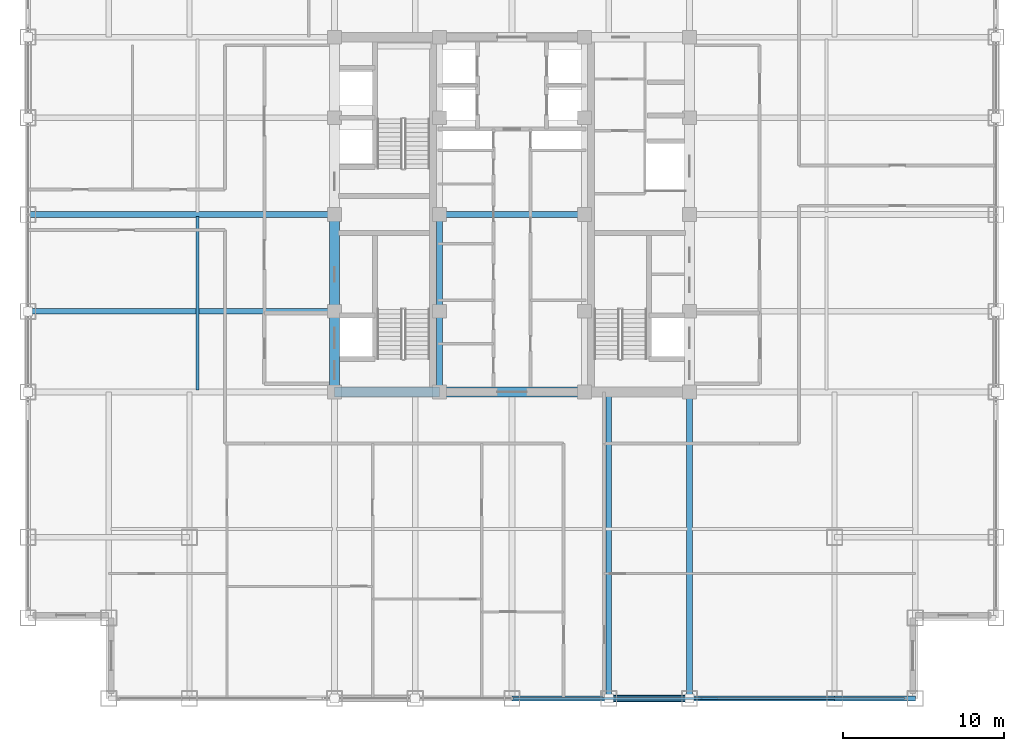
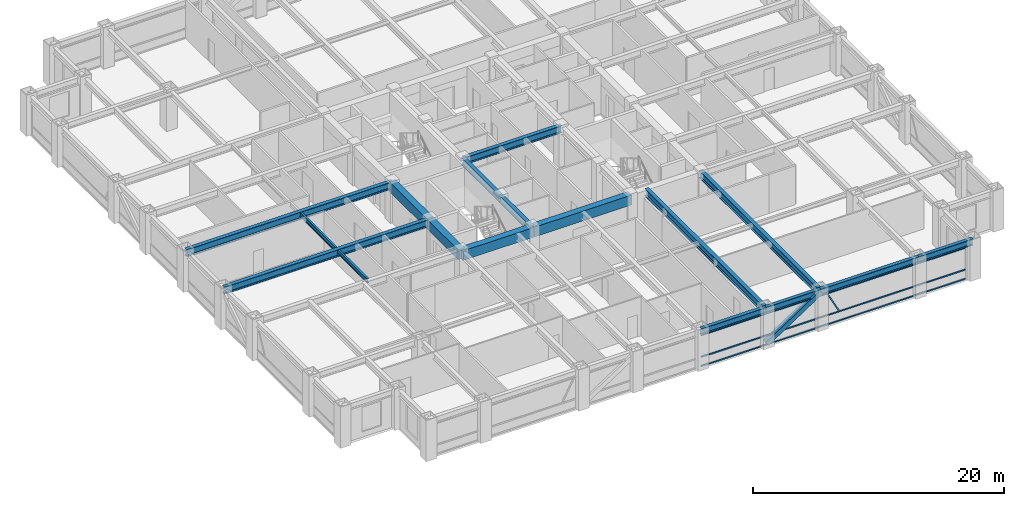
# One storey, part 7 of 24: 16 beams, 5 members, 1 element without a shape of its own.
"""IFC4 building model written with IfcOpenShell, lengths in metres."""

from ifc_helpers import new_model, si_unit, direction, frame, origin, origin_2d, place, context, subcontext, project, spatial, rectangle, hollow_rectangle, i_section, extrude, source, transform, mapped, material, material_profile, profile_set, type_object, element, aggregate, save


model = new_model("IFC4")

# Units and contexts
model_context = context("Model", 3, precision=1e-05, world=origin(), true_north=direction((0.0, 1.0)))
body_context = subcontext(model_context, "Body", "Model", "MODEL_VIEW")
ifc_project = project(units=[si_unit("LENGTHUNIT", "METRE"), si_unit("AREAUNIT", "SQUARE_METRE"), si_unit("VOLUMEUNIT", "CUBIC_METRE"), si_unit("PLANEANGLEUNIT", "RADIAN"), si_unit("MASSUNIT", "GRAM", prefix="KILO")], contexts=[model_context])

# Site, building, storey
site_placement = place(None, origin())
site = spatial("IfcSite", under=ifc_project, at=site_placement, CompositionType="ELEMENT")
building_placement = place(site_placement, origin())
building = spatial("IfcBuilding", under=site, at=building_placement, Name="Khorayat Bourse Tower", CompositionType="ELEMENT")
storey_placement = place(building_placement, frame((0.0, 0.0, 219.10009765625)))
storey = spatial("IfcBuildingStorey", under=building, at=storey_placement, Name="L51", CompositionType="ELEMENT", Elevation=219.10009765625)

# Beams
ifc_material_1 = material(Name="Steel ASTM A992 Grade 50", Category="steel")
ifc_material_profile_1 = material_profile(ifc_material_1, i_section(OverallWidth=0.35498046875, OverallDepth=0.695068359375, WebThickness=0.015380859375, FlangeThickness=0.02490234375, FilletRadius=0.01806640625, at=origin_2d()), Name="W690X217")
ifc_profile_set_1 = profile_set([ifc_material_profile_1], Name="Steel ASTM A992 Grade 50")
beam_type_1 = type_object("IfcBeamType", Name="BM-GIRD-690", PredefinedType="BEAM", material=ifc_profile_set_1)
shared_shape_1 = source(origin(), body_context, "Body", "SweptSolid", [
    extrude(i_section(OverallWidth=0.35498046875, OverallDepth=0.695068359375, WebThickness=0.015380859375, FlangeThickness=0.02490234375, FilletRadius=0.01806640625, at=origin_2d()), origin(), (0.0, 0.0, 1.0), 5.0),
])
beam_1_placement = place(storey_placement, frame((-4.5, -11.0, 3.432373046875), z_axis=(0.0, 1.0, 0.0), x_axis=(-1.0, 0.0, 0.0)))
element("IfcBeam", 1, at=beam_1_placement, inside=storey, type_object=beam_type_1, Name="L51 BM-GIRD-690 BM-L51-CRX-05", PredefinedType="BEAM", context=body_context, shape_type="MappedRepresentation", body=[
    mapped(shared_shape_1, transform((0.0, 0.0, 0.0), scale=1.0)),
])
shared_shape_2 = source(origin(), body_context, "Body", "SweptSolid", [
    extrude(i_section(OverallWidth=0.35498046875, OverallDepth=0.695068359375, WebThickness=0.015380859375, FlangeThickness=0.02490234375, FilletRadius=0.01806640625, at=origin_2d()), origin(), (0.0, 0.0, 1.0), 6.0),
])
beam_2_placement = place(storey_placement, frame((-4.5, -6.0, 3.432373046875), z_axis=(0.0, 1.0, 0.0), x_axis=(-1.0, 0.0, 0.0)))
element("IfcBeam", 2, at=beam_2_placement, inside=storey, type_object=beam_type_1, Name="L51 BM-GIRD-690 BM-L51-CRX-06", PredefinedType="BEAM", context=body_context, shape_type="MappedRepresentation", body=[
    mapped(shared_shape_2, transform((0.0, 0.0, 0.0), scale=1.0)),
])
shared_shape_3 = source(origin(), body_context, "Body", "SweptSolid", [
    extrude(i_section(OverallWidth=0.35498046875, OverallDepth=0.695068359375, WebThickness=0.015380859375, FlangeThickness=0.02490234375, FilletRadius=0.01806640625, at=origin_2d()), origin(), (0.0, 0.0, 1.0), 9.0),
])
beam_3_placement = place(storey_placement, frame((-4.5, 0.0, 3.432373046875), z_axis=(1.0, 0.0, 0.0), x_axis=(0.0, 1.0, 0.0)))
element("IfcBeam", 3, at=beam_3_placement, inside=storey, type_object=beam_type_1, Name="L51 BM-GIRD-690 BM-L51-CRY-23", PredefinedType="BEAM", context=body_context, shape_type="MappedRepresentation", body=[
    mapped(shared_shape_3, transform((0.0, 0.0, 0.0), scale=1.0)),
])
ifc_material_profile_2 = material_profile(ifc_material_1, i_section(OverallWidth=0.180908203125, OverallDepth=0.4169921875, WebThickness=0.010986328125, FlangeThickness=0.018310546875, FilletRadius=0.011962890625, at=origin_2d()), Name="W410X85")
ifc_profile_set_2 = profile_set([ifc_material_profile_2], Name="Steel ASTM A992 Grade 50")
beam_type_2 = type_object("IfcBeamType", Name="BM-JOIST-410", PredefinedType="JOIST", material=ifc_profile_set_2)
shared_shape_4 = source(origin(), body_context, "Body", "SweptSolid", [
    extrude(i_section(OverallWidth=0.180908203125, OverallDepth=0.4169921875, WebThickness=0.010986328125, FlangeThickness=0.018310546875, FilletRadius=0.011962890625, at=origin_2d()), origin(), (0.0, 0.0, 1.0), 10.740234375),
])
beam_4_placement = place(storey_placement, frame((-19.5, -10.8701171875, 3.5712890625), z_axis=(0.0, 1.0, 0.0), x_axis=(-1.0, 0.0, 0.0)))
element("IfcBeam", 4, at=beam_4_placement, inside=storey, type_object=beam_type_2, Name="L51 BM-JOIST-410 BM-L51-JSTY-102", PredefinedType="JOIST", context=body_context, shape_type="MappedRepresentation", body=[
    mapped(shared_shape_4, transform((0.0, 0.0, 0.0), scale=1.0)),
])
ifc_material_profile_3 = material_profile(ifc_material_1, i_section(OverallWidth=0.324951171875, OverallDepth=0.615966796875, WebThickness=0.013916015625, FlangeThickness=0.021484375, FilletRadius=0.01611328125, at=origin_2d()), Name="W610X174")
ifc_profile_set_3 = profile_set([ifc_material_profile_3], Name="Steel ASTM A992 Grade 50")
beam_type_3 = type_object("IfcBeamType", Name="BM-SPAN-610", PredefinedType="SPANDREL", material=ifc_profile_set_3)
shared_shape_5 = source(origin(), body_context, "Body", "SweptSolid", [
    extrude(i_section(OverallWidth=0.324951171875, OverallDepth=0.615966796875, WebThickness=0.013916015625, FlangeThickness=0.021484375, FilletRadius=0.01611328125, at=origin_2d()), origin(), (0.0, 0.0, 1.0), 9.0),
])
beam_5_placement = place(storey_placement, frame((11.0, -30.0, 3.471923828125), z_axis=(1.0, 0.0, 0.0), x_axis=(0.0, 1.0, 0.0)))
element("IfcBeam", 5, at=beam_5_placement, inside=storey, type_object=beam_type_3, Name="L51 BM-SPAN-610 BM-L51-SPN-030", PredefinedType="SPANDREL", context=body_context, shape_type="MappedRepresentation", body=[
    mapped(shared_shape_5, transform((0.0, 0.0, 0.0), scale=1.0)),
])
shared_shape_6 = source(origin(), body_context, "Body", "SweptSolid", [
    extrude(i_section(OverallWidth=0.324951171875, OverallDepth=0.615966796875, WebThickness=0.013916015625, FlangeThickness=0.021484375, FilletRadius=0.01611328125, at=origin_2d()), origin(), (0.0, 0.0, 1.0), 5.0),
])
for number, where, z_axis, x_axis, name in (
    (6, (6.0, -30.0, 3.471923828125), (1.0, 0.0, 0.0), (0.0, 1.0, 0.0), "L51 BM-SPAN-610 BM-L51-SPN-029"),
    (7, (20.0, -30.0, 3.471923828125), (1.0, 0.0, 0.0), (0.0, 1.0, 0.0), "L51 BM-SPAN-610 BM-L51-SPN-031"),
):
    element("IfcBeam", number, at=place(storey_placement, frame(where, z_axis=z_axis, x_axis=x_axis)), inside=storey, type_object=beam_type_3, Name=name, PredefinedType="SPANDREL", context=body_context, shape_type="MappedRepresentation", body=[
        mapped(shared_shape_6, transform((0.0, 0.0, 0.0), scale=1.0)),
    ])
shared_shape_7 = source(origin(), body_context, "Body", "SweptSolid", [
    extrude(i_section(OverallWidth=0.324951171875, OverallDepth=0.615966796875, WebThickness=0.013916015625, FlangeThickness=0.021484375, FilletRadius=0.01611328125, at=origin_2d()), origin(), (0.0, 0.0, 1.0), 6.0),
])
beam_6_placement = place(storey_placement, frame((0.0, -30.0, 3.471923828125), z_axis=(1.0, 0.0, 0.0), x_axis=(0.0, 1.0, 0.0)))
element("IfcBeam", 8, at=beam_6_placement, inside=storey, type_object=beam_type_3, Name="L51 BM-SPAN-610 BM-L51-SPN-028", PredefinedType="SPANDREL", context=body_context, shape_type="MappedRepresentation", body=[
    mapped(shared_shape_7, transform((0.0, 0.0, 0.0), scale=1.0)),
])
ifc_material_2 = material(Name="Concrete C60/75", Category="concrete")
ifc_material_profile_4 = material_profile(ifc_material_2, rectangle(XDim=0.60009765625, YDim=0.949951171875, at=origin_2d()), Name="RC 600x950")
ifc_profile_set_4 = profile_set([ifc_material_profile_4], Name="Concrete C60/75")
beam_type_4 = type_object("IfcBeamType", Name="BM-COUP-950", PredefinedType="BEAM", material=ifc_profile_set_4)
shared_shape_8 = source(origin(), body_context, "Body", "SweptSolid", [
    extrude(rectangle(XDim=0.60009765625, YDim=0.949951171875, at=origin_2d()), origin(), (0.0, 0.0, 1.0), 5.0),
])
beam_7_placement = place(storey_placement, frame((-11.0, -11.0, 3.304931640625), z_axis=(0.0, 1.0, 0.0), x_axis=(-1.0, 0.0, 0.0)))
element("IfcBeam", 9, at=beam_7_placement, inside=storey, type_object=beam_type_4, Name="L51 BM-COUP-950 BM-L51-CRX-01", PredefinedType="BEAM", context=body_context, shape_type="MappedRepresentation", body=[
    mapped(shared_shape_8, transform((0.0, 0.0, 0.0), scale=1.0)),
])
shared_shape_9 = source(origin(), body_context, "Body", "SweptSolid", [
    extrude(rectangle(XDim=0.60009765625, YDim=0.949951171875, at=origin_2d()), origin(), (0.0, 0.0, 1.0), 6.0),
])
beam_8_placement = place(storey_placement, frame((-11.0, -6.0, 3.304931640625), z_axis=(0.0, 1.0, 0.0), x_axis=(-1.0, 0.0, 0.0)))
element("IfcBeam", 10, at=beam_8_placement, inside=storey, type_object=beam_type_4, Name="L51 BM-COUP-950 BM-L51-CRX-02", PredefinedType="BEAM", context=body_context, shape_type="MappedRepresentation", body=[
    mapped(shared_shape_9, transform((0.0, 0.0, 0.0), scale=1.0)),
])
shared_shape_10 = source(origin(), body_context, "Body", "SweptSolid", [
    extrude(rectangle(XDim=0.60009765625, YDim=0.949951171875, at=origin_2d()), origin(), (0.0, 0.0, 1.0), 6.5),
])
beam_9_placement = place(storey_placement, frame((-11.0, -11.0, 3.304931640625), z_axis=(1.0, 0.0, 0.0), x_axis=(0.0, 1.0, 0.0)))
element("IfcBeam", 11, at=beam_9_placement, inside=storey, type_object=beam_type_4, Name="L51 BM-COUP-950 BM-L51-CRY-17", PredefinedType="BEAM", context=body_context, shape_type="MappedRepresentation", body=[
    mapped(shared_shape_10, transform((0.0, 0.0, 0.0), scale=1.0)),
])
shared_shape_11 = source(origin(), body_context, "Body", "SweptSolid", [
    extrude(rectangle(XDim=0.60009765625, YDim=0.949951171875, at=origin_2d()), origin(), (0.0, 0.0, 1.0), 9.0),
])
beam_10_placement = place(storey_placement, frame((-4.5, -11.0, 3.304931640625), z_axis=(1.0, 0.0, 0.0), x_axis=(0.0, 1.0, 0.0)))
element("IfcBeam", 12, at=beam_10_placement, inside=storey, type_object=beam_type_4, Name="L51 BM-COUP-950 BM-L51-CRY-18", PredefinedType="BEAM", context=body_context, shape_type="MappedRepresentation", body=[
    mapped(shared_shape_11, transform((0.0, 0.0, 0.0), scale=1.0)),
])
shared_shape_12 = source(origin(), body_context, "Body", "SweptSolid", [
    extrude(i_section(OverallWidth=0.35498046875, OverallDepth=0.695068359375, WebThickness=0.015380859375, FlangeThickness=0.02490234375, FilletRadius=0.01806640625, at=origin_2d()), origin(), (0.0, 0.0, 1.0), 19.0),
])
for number, where, z_axis, x_axis, name in (
    (13, (6.0, -30.0, 3.432373046875), (0.0, 1.0, 0.0), (-1.0, 0.0, 0.0), "L51 BM-GIRD-690 BM-L51-RADY-071"),
    (14, (11.0, -30.0, 3.432373046875), (0.0, 1.0, 0.0), (-1.0, 0.0, 0.0), "L51 BM-GIRD-690 BM-L51-RADY-073"),
    (15, (-30.0, -6.0, 3.432373046875), (1.0, 0.0, 0.0), (0.0, 1.0, 0.0), "L51 BM-GIRD-690 BM-L51-RADX-077"),
    (16, (-30.0, 0.0, 3.432373046875), (1.0, 0.0, 0.0), (0.0, 1.0, 0.0), "L51 BM-GIRD-690 BM-L51-RADX-079"),
):
    element("IfcBeam", number, at=place(storey_placement, frame(where, z_axis=z_axis, x_axis=x_axis)), inside=storey, type_object=beam_type_1, Name=name, PredefinedType="BEAM", context=body_context, shape_type="MappedRepresentation", body=[
        mapped(shared_shape_12, transform((0.0, 0.0, 0.0), scale=1.0)),
    ])

# Member
ifc_material_3 = material(Name="Steel EN 10025-4 S460M", Category="steel")
ifc_material_profile_5 = material_profile(ifc_material_3, hollow_rectangle(XDim=0.449951171875, YDim=0.449951171875, WallThickness=0.02490234375, at=origin_2d()), Name="HSS 450x450x25")
ifc_profile_set_5 = profile_set([ifc_material_profile_5], Name="Steel EN 10025-4 S460M")
member_type_1 = type_object("IfcMemberType", Name="MBR-TUBE-450", PredefinedType="BRACE", material=ifc_profile_set_5)
shared_shape_13 = source(origin(), body_context, "Body", "SweptSolid", [
    extrude(hollow_rectangle(XDim=0.449951171875, YDim=0.449951171875, WallThickness=0.02490234375, at=origin_2d()), origin(), (0.0, 0.0, 1.0), 5.979736328125),
])
member_1_placement = place(storey_placement, frame((6.0, -30.0, 0.25), z_axis=(0.836160261256, 0.0, 0.548485202623), x_axis=(0.0, 1.0, 0.0)))
element("IfcMember", 17, at=member_1_placement, inside=storey, type_object=member_type_1, Name="L51 Perimeter Tube Brace 02", PredefinedType="BRACE", context=body_context, shape_type="MappedRepresentation", body=[
    mapped(shared_shape_13, transform((0.0, 0.0, 0.0), scale=1.0)),
])

# Curtain wall, members
ifc_material_4 = material(Name="Aluminium EN AW-6063 T6", Category="aluminium")
curtain_wall_type = type_object("IfcCurtainWallType", Name="CW-SYS-03", PredefinedType="NOTDEFINED", material=ifc_material_4)
curtain_wall_placement = place(storey_placement, origin())
curtain_wall = element("IfcCurtainWall", 18, at=curtain_wall_placement, inside=storey, type_object=curtain_wall_type, Name="L51 Curtain Wall CW-L51-S1", PredefinedType="NOTDEFINED")
ifc_material_profile_6 = material_profile(ifc_material_4, hollow_rectangle(XDim=0.1201171875, YDim=0.1201171875, WallThickness=0.0048828125, at=origin_2d()), Name="ALU 120x120x5")
ifc_profile_set_6 = profile_set([ifc_material_profile_6], Name="Aluminium EN AW-6063 T6")
member_type_2 = type_object("IfcMemberType", Name="CWM-DIAG-120", PredefinedType="MULLION", material=ifc_profile_set_6)
shared_shape_14 = source(origin(), body_context, "Body", "SweptSolid", [
    extrude(hollow_rectangle(XDim=0.1201171875, YDim=0.1201171875, WallThickness=0.0048828125, at=origin_2d()), origin(), (0.0, 0.0, 1.0), 2.079345703125),
])
member_2_placement = place(storey_placement, frame((12.67919921875, -30.0, 1.08984375), z_axis=(-0.465760949701, 0.0, 0.884910581773), x_axis=(0.0, -1.0, 0.0)))
member_2 = element("IfcMember", 19, at=member_2_placement, type_object=member_type_2, Name="CW-L51-S1 Faceted Diagonal Mullion 2", PredefinedType="MULLION", context=body_context, shape_type="MappedRepresentation", body=[
    mapped(shared_shape_14, transform((0.0, 0.0, 0.0), scale=1.0)),
])
ifc_material_profile_7 = material_profile(ifc_material_4, hollow_rectangle(XDim=0.1201171875, YDim=0.1201171875, WallThickness=0.0048828125, at=origin_2d()), Name="ALU 120x120x5")
ifc_profile_set_7 = profile_set([ifc_material_profile_7], Name="Aluminium EN AW-6063 T6")
member_type_3 = type_object("IfcMemberType", Name="CWT-HORZ-120", PredefinedType="USERDEFINED", material=ifc_profile_set_7)
shared_shape_15 = source(origin(), body_context, "Body", "SweptSolid", [
    extrude(hollow_rectangle(XDim=0.1201171875, YDim=0.1201171875, WallThickness=0.0048828125, at=origin_2d()), origin(), (0.0, 0.0, 1.0), 24.27001953125),
])
member_3_placement = place(storey_placement, frame((0.06005859375, -30.0, 0.059814453125), z_axis=(1.0, 0.0, 0.0), x_axis=(0.0, 1.0, 0.0)))
member_3 = element("IfcMember", 20, at=member_3_placement, type_object=member_type_3, Name="CW-L51-S1 Horizontal Transom 2-1", ObjectType="TRANSOM", PredefinedType="USERDEFINED", context=body_context, shape_type="MappedRepresentation", body=[
    mapped(shared_shape_15, transform((0.0, 0.0, 0.0), scale=1.0)),
])
member_4_placement = place(storey_placement, frame((0.06005859375, -30.0, 0.949951171875), z_axis=(1.0, 0.0, 0.0), x_axis=(0.0, 1.0, 0.0)))
member_4 = element("IfcMember", 21, at=member_4_placement, type_object=member_type_3, Name="CW-L51-S1 Horizontal Transom 2-2", ObjectType="TRANSOM", PredefinedType="USERDEFINED", context=body_context, shape_type="MappedRepresentation", body=[
    mapped(shared_shape_15, transform((0.0, 0.0, 0.0), scale=1.0)),
])
member_5_placement = place(storey_placement, frame((0.06005859375, -30.0, 3.06982421875), z_axis=(1.0, 0.0, 0.0), x_axis=(0.0, 1.0, 0.0)))
member_5 = element("IfcMember", 22, at=member_5_placement, type_object=member_type_3, Name="CW-L51-S1 Horizontal Transom 2-3", ObjectType="TRANSOM", PredefinedType="USERDEFINED", context=body_context, shape_type="MappedRepresentation", body=[
    mapped(shared_shape_15, transform((0.0, 0.0, 0.0), scale=1.0)),
])
aggregate(curtain_wall, [member_3, member_4, member_5, member_2])

save(model, "model.ifc")
